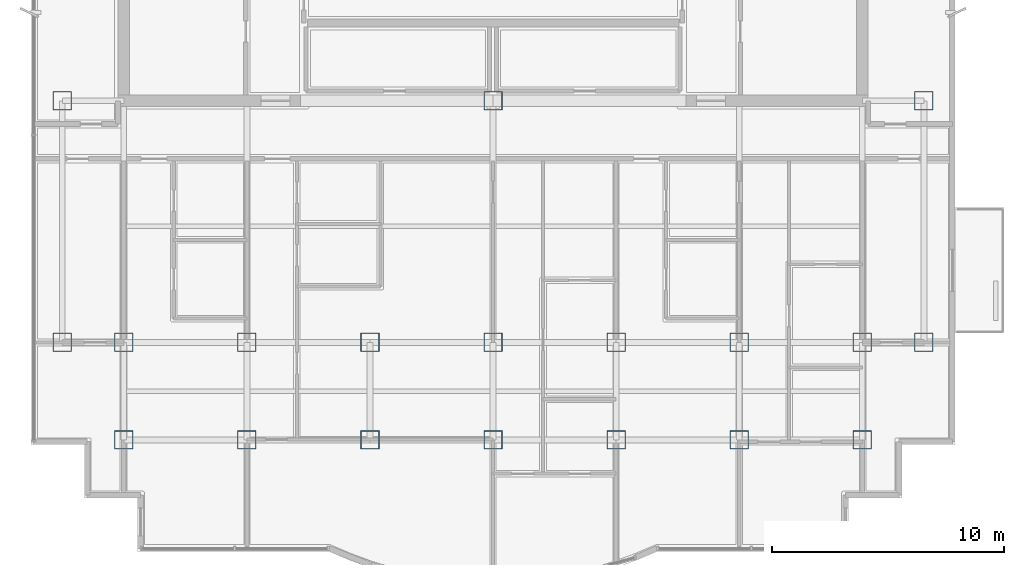
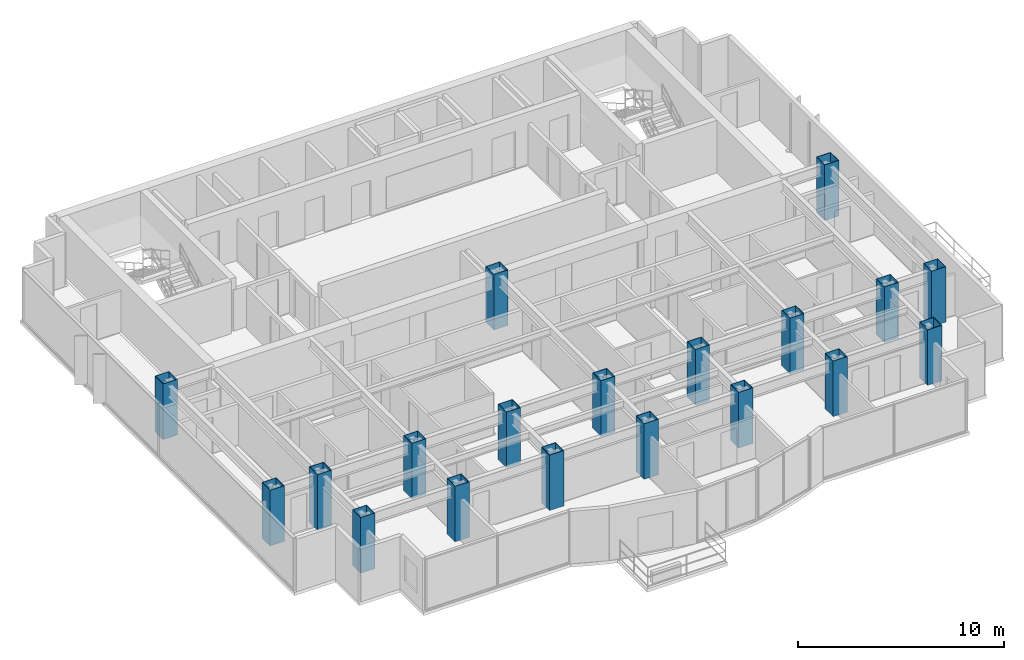
# One storey, part 1 of 11: 19 columns.
"""IFC4 building model written with IfcOpenShell, lengths in metres."""

from ifc_helpers import new_model, si_unit, direction, frame, origin, origin_2d, place, context, subcontext, project, spatial, hollow_rectangle, extrude, material, material_profile, profile_set, type_object, element, save


model = new_model("IFC4")

# Units and contexts
model_context = context("Model", 3, precision=1e-05, world=origin(), true_north=direction((0.0, 1.0)))
body_context = subcontext(model_context, "Body", "Model", "MODEL_VIEW")
ifc_project = project(units=[si_unit("LENGTHUNIT", "METRE"), si_unit("AREAUNIT", "SQUARE_METRE"), si_unit("VOLUMEUNIT", "CUBIC_METRE"), si_unit("PLANEANGLEUNIT", "RADIAN"), si_unit("MASSUNIT", "GRAM", prefix="KILO")], contexts=[model_context])

# Site, building, storey
site_placement = place(None, origin())
site = spatial("IfcSite", under=ifc_project, at=site_placement, CompositionType="ELEMENT")
building_placement = place(site_placement, origin())
building = spatial("IfcBuilding", under=site, at=building_placement, Name="Qianlan Lanfeng Residences", CompositionType="ELEMENT")
storey_placement = place(building_placement, frame((0.0, 0.0, 206.60009765625)))
storey = spatial("IfcBuildingStorey", under=building, at=storey_placement, Name="L56", CompositionType="ELEMENT", Elevation=206.60009765625)

# Columns
ifc_material = material(Name="Steel SN490B", Category="steel")
ifc_material_profile_1 = material_profile(ifc_material, hollow_rectangle(XDim=0.800048828125, YDim=0.800048828125, WallThickness=0.028076171875, at=origin_2d()), Name="BOX 800x800x28")
ifc_profile_set_1 = profile_set([ifc_material_profile_1], Name="Steel SN490B")
column_type_1 = type_object("IfcColumnType", Name="C-B850", PredefinedType="COLUMN", material=ifc_profile_set_1)
for number, where, z_axis, x_axis, name in (
    (1, (26.5, 25.199951171875, 0.0), (0.0, 0.0, 1.0), (1.0, 0.0, 0.0), "L56 Structural Column CP_26.5_25.2"),
    (2, (10.60009765625, 14.800048828125, 0.0), (0.0, 0.0, 1.0), (1.0, 0.0, 0.0), "L56 Structural Column M_10.60_14.80"),
    (3, (15.89990234375, 14.800048828125, 0.0), (0.0, 0.0, 1.0), (1.0, 0.0, 0.0), "L56 Structural Column M_15.90_14.80"),
    (4, (15.89990234375, 10.60009765625, 0.0), (0.0, 0.0, 1.0), (1.0, 0.0, 0.0), "L56 Structural Column G_15.90_10.60"),
    (5, (21.199951171875, 14.800048828125, 0.0), (0.0, 0.0, 1.0), (1.0, 0.0, 0.0), "L56 Structural Column M_21.20_14.80"),
    (6, (21.199951171875, 10.60009765625, 0.0), (0.0, 0.0, 1.0), (1.0, 0.0, 0.0), "L56 Structural Column G_21.20_10.60"),
    (7, (26.5, 14.800048828125, 0.0), (0.0, 0.0, 1.0), (1.0, 0.0, 0.0), "L56 Structural Column M_26.50_14.80"),
    (8, (26.5, 10.60009765625, 0.0), (0.0, 0.0, 1.0), (1.0, 0.0, 0.0), "L56 Structural Column G_26.50_10.60"),
    (9, (31.800048828125, 14.800048828125, 0.0), (0.0, 0.0, 1.0), (1.0, 0.0, 0.0), "L56 Structural Column M_31.80_14.80"),
    (10, (31.800048828125, 10.60009765625, 0.0), (0.0, 0.0, 1.0), (1.0, 0.0, 0.0), "L56 Structural Column G_31.80_10.60"),
    (11, (37.10009765625, 14.800048828125, 0.0), (0.0, 0.0, 1.0), (1.0, 0.0, 0.0), "L56 Structural Column M_37.10_14.80"),
    (12, (37.10009765625, 10.60009765625, 0.0), (0.0, 0.0, 1.0), (1.0, 0.0, 0.0), "L56 Structural Column G_37.10_10.60"),
    (13, (42.39990234375, 14.800048828125, 0.0), (0.0, 0.0, 1.0), (1.0, 0.0, 0.0), "L56 Structural Column M_42.40_14.80"),
):
    element("IfcColumn", number, at=place(storey_placement, frame(where, z_axis=z_axis, x_axis=x_axis)), inside=storey, type_object=column_type_1, Name=name, PredefinedType="COLUMN", context=body_context, shape_type="SweptSolid", body=[
        extrude(hollow_rectangle(XDim=0.800048828125, YDim=0.800048828125, WallThickness=0.028076171875, at=origin_2d()), origin(), (0.0, 0.0, 1.0), 3.2998046875),
    ])
ifc_material_profile_2 = material_profile(ifc_material, hollow_rectangle(XDim=0.800048828125, YDim=0.800048828125, WallThickness=0.028076171875, at=origin_2d()), Name="BOX 800x800x28")
ifc_profile_set_2 = profile_set([ifc_material_profile_2], Name="Steel SN490B")
column_type_2 = type_object("IfcColumnType", Name="CE-B800", PredefinedType="COLUMN", material=ifc_profile_set_2)
for number, where, z_axis, x_axis, name in (
    (14, (10.60009765625, 10.60009765625, 0.0), (0.0, 0.0, 1.0), (1.0, 0.0, 0.0), "L56 Structural Column G_10.60_10.60"),
    (15, (42.39990234375, 10.60009765625, 0.0), (0.0, 0.0, 1.0), (1.0, 0.0, 0.0), "L56 Structural Column G_42.40_10.60"),
    (16, (7.949951171875, 14.800048828125, 0.0), (0.0, 0.0, 1.0), (1.0, 0.0, 0.0), "L56 Structural Column W_7.95_14.80"),
    (17, (7.949951171875, 25.199951171875, 0.0), (0.0, 0.0, 1.0), (1.0, 0.0, 0.0), "L56 Structural Column W_7.95_25.20"),
    (18, (45.050048828125, 14.800048828125, 0.0), (0.0, 0.0, 1.0), (1.0, 0.0, 0.0), "L56 Structural Column W_45.05_14.80"),
    (19, (45.050048828125, 25.199951171875, 0.0), (0.0, 0.0, 1.0), (1.0, 0.0, 0.0), "L56 Structural Column W_45.05_25.20"),
):
    element("IfcColumn", number, at=place(storey_placement, frame(where, z_axis=z_axis, x_axis=x_axis)), inside=storey, type_object=column_type_2, Name=name, PredefinedType="COLUMN", context=body_context, shape_type="SweptSolid", body=[
        extrude(hollow_rectangle(XDim=0.800048828125, YDim=0.800048828125, WallThickness=0.028076171875, at=origin_2d()), origin(), (0.0, 0.0, 1.0), 3.2998046875),
    ])

save(model, "model.ifc")
